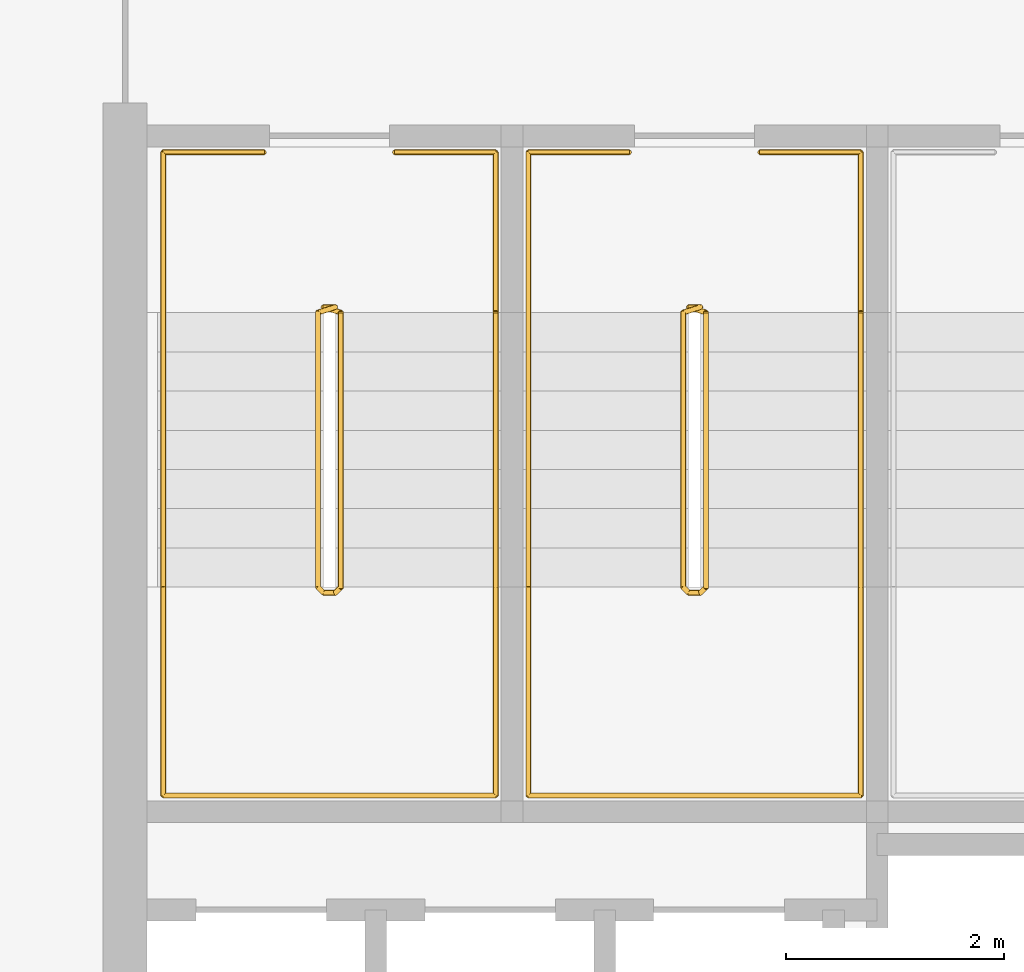
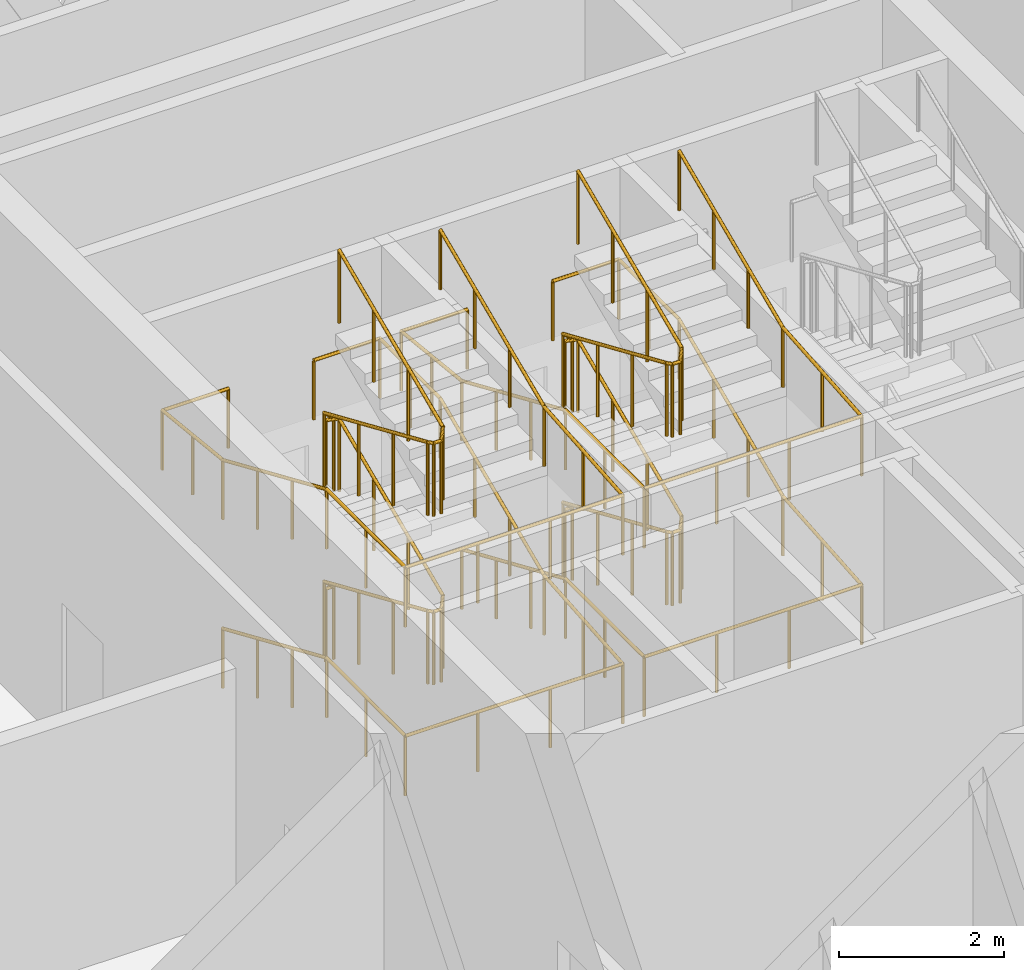
# One storey, part 14 of 15: 6 railings.
"""IFC4 building model written with IfcOpenShell, lengths in metres."""

from ifc_helpers import new_model, si_unit, direction, frame, origin, origin_2d, place, context, subcontext, project, spatial, circle, extrude, material, type_object, element, save


model = new_model("IFC4")

# Units and contexts
model_context = context("Model", 3, precision=1e-05, world=origin(), true_north=direction((0.0, 1.0)))
body_context = subcontext(model_context, "Body", "Model", "MODEL_VIEW")
ifc_project = project(units=[si_unit("LENGTHUNIT", "METRE"), si_unit("AREAUNIT", "SQUARE_METRE"), si_unit("VOLUMEUNIT", "CUBIC_METRE"), si_unit("PLANEANGLEUNIT", "RADIAN"), si_unit("MASSUNIT", "GRAM", prefix="KILO")], contexts=[model_context])

# Site, building, storey
site_placement = place(None, origin())
site = spatial("IfcSite", under=ifc_project, at=site_placement, CompositionType="ELEMENT")
building_placement = place(site_placement, origin())
building = spatial("IfcBuilding", under=site, at=building_placement, Name="Tessera Arch", CompositionType="ELEMENT")
storey_placement = place(building_placement, frame((0.0, 0.0, 285.199951171875)))
storey = spatial("IfcBuildingStorey", under=building, at=storey_placement, Name="L69", CompositionType="ELEMENT", Elevation=285.199951171875)

# Railings
ifc_material_1 = material(Name="Painted steel balustrade", Category="steel")
railing_type_1 = type_object("IfcRailingType", Name="Stair guard 1100", PredefinedType="GUARDRAIL", material=ifc_material_1)
railing_1_placement = place(storey_placement, frame((38.219970703125, 43.6298828125, 0.0)))
element("IfcRailing", 1, at=railing_1_placement, inside=storey, type_object=railing_type_1, Name="L69 S1a stair guard 1", PredefinedType="GUARDRAIL", context=body_context, shape_type="SweptSolid", body=[
    extrude(circle(Radius=0.02392578125, at=origin_2d()), frame((-0.00390625, 0.0, 1.076171875), z_axis=(1.0, 0.0, 0.0), x_axis=(0.0, 1.0, 0.0)), (0.0, 0.0, 1.0), 0.1181640625),
    extrude(circle(Radius=0.02392578125, at=origin_2d()), frame((0.11279296875, 0.0009765625, 1.0732421875), z_axis=(-0.698682510115, -0.217273219609, 0.681641473283), x_axis=(0.296948579431, -0.954893471113, 0.0)), (0.0, 0.0, 1.0), 0.2373046875),
    extrude(circle(Radius=0.02392578125, at=origin_2d()), frame((-0.050048828125, -0.046142578125, 1.230712890625), z_axis=(0.0, -0.917324189904, 0.398141093855), x_axis=(1.0, 0.0, 0.0)), (0.0, 0.0, 1.0), 2.755126953125),
    extrude(circle(Radius=0.02392578125, at=origin_2d()), frame((-0.052978515625, -2.56689453125, 2.326171875), z_axis=(0.707106781187, -0.707106781187, 0.0), x_axis=(0.707106781187, 0.707106781187, 0.0)), (0.0, 0.0, 1.0), 0.078857421875),
    extrude(circle(Radius=0.02392578125, at=origin_2d()), frame((-0.00390625, -2.619873046875, 2.326171875), z_axis=(1.0, 0.0, 0.0), x_axis=(0.0, 1.0, 0.0)), (0.0, 0.0, 1.0), 0.1181640625),
    extrude(circle(Radius=0.02392578125, at=origin_2d()), frame((0.10888671875, -2.62109375, 2.322509765625), z_axis=(0.290469530425, 0.291893400672, 0.911276958196), x_axis=(-0.708833529934, 0.705375805398, 0.0)), (0.0, 0.0, 1.0), 0.179443359375),
    extrude(circle(Radius=0.02392578125, at=origin_2d()), frame((0.159912109375, -2.573486328125, 2.480712890625), z_axis=(0.0, 0.917324189904, 0.398141093855), x_axis=(-1.0, 0.0, 0.0)), (0.0, 0.0, 1.0), 2.755126953125),
    extrude(circle(Radius=0.02392578125, at=origin_2d()), frame((0.163818359375, -0.051025390625, 3.576171875), z_axis=(-0.954764847777, 0.297361876254, 0.0), x_axis=(-0.297361876254, -0.954764847777, 0.0)), (0.0, 0.0, 1.0), 0.175537109375),
    extrude(circle(Radius=0.02392578125, at=origin_2d()), frame((-0.00390625, 0.0, 3.576171875), z_axis=(1.0, 0.0, 0.0), x_axis=(0.0, 1.0, 0.0)), (0.0, 0.0, 1.0), 0.1181640625),
    extrude(circle(Radius=0.02392578125, at=origin_2d()), frame((0.11279296875, 0.0009765625, 3.5732421875), z_axis=(-0.698682510115, -0.217273219609, 0.681641473283), x_axis=(0.296948579431, -0.954893471113, 0.0)), (0.0, 0.0, 1.0), 0.2373046875),
    extrude(circle(Radius=0.02392578125, at=origin_2d()), frame((-0.050048828125, -0.046142578125, 3.730712890625), z_axis=(0.0, -0.917324189904, 0.398141093855), x_axis=(1.0, 0.0, 0.0)), (0.0, 0.0, 1.0), 2.755126953125),
    extrude(circle(Radius=0.02392578125, at=origin_2d()), frame((-0.052978515625, -2.56689453125, 4.826171875), z_axis=(0.707106781187, -0.707106781187, 0.0), x_axis=(0.707106781187, 0.707106781187, 0.0)), (0.0, 0.0, 1.0), 0.078857421875),
    extrude(circle(Radius=0.02392578125, at=origin_2d()), frame((-0.00390625, -2.619873046875, 4.826171875), z_axis=(1.0, 0.0, 0.0), x_axis=(0.0, 1.0, 0.0)), (0.0, 0.0, 1.0), 0.1181640625),
    extrude(circle(Radius=0.02392578125, at=origin_2d()), frame((0.10888671875, -2.62109375, 4.822509765625), z_axis=(0.290469530425, 0.291893400672, 0.911276958196), x_axis=(-0.708833529934, 0.705375805398, 0.0)), (0.0, 0.0, 1.0), 0.179443359375),
    extrude(circle(Radius=0.02392578125, at=origin_2d()), frame((0.159912109375, -2.573486328125, 4.980712890625), z_axis=(0.0, 0.917324189904, 0.398141093855), x_axis=(-1.0, 0.0, 0.0)), (0.0, 0.0, 1.0), 2.755126953125),
    extrude(circle(Radius=0.02099609375, at=origin_2d()), origin(), (0.0, 0.0, 1.0), 1.06396484375),
    extrude(circle(Radius=0.02099609375, at=origin_2d()), frame((0.110107421875, 0.0, 0.0)), (0.0, 0.0, 1.0), 1.06396484375),
    extrude(circle(Radius=0.02099609375, at=origin_2d()), frame((-0.050048828125, -0.0498046875, 0.15625)), (0.0, 0.0, 1.0), 1.06396484375),
    extrude(circle(Radius=0.02099609375, at=origin_2d()), frame((-0.050048828125, -0.889892578125, 0.520751953125)), (0.0, 0.0, 1.0), 1.06396484375),
    extrude(circle(Radius=0.02099609375, at=origin_2d()), frame((-0.050048828125, -1.729736328125, 0.885498046875)), (0.0, 0.0, 1.0), 1.06396484375),
    extrude(circle(Radius=0.02099609375, at=origin_2d()), frame((-0.050048828125, -2.56982421875, 1.25)), (0.0, 0.0, 1.0), 1.06396484375),
    extrude(circle(Radius=0.02099609375, at=origin_2d()), frame((0.0, -2.619873046875, 1.25)), (0.0, 0.0, 1.0), 1.06396484375),
    extrude(circle(Radius=0.02099609375, at=origin_2d()), frame((0.110107421875, -2.619873046875, 1.25)), (0.0, 0.0, 1.0), 1.06396484375),
    extrude(circle(Radius=0.02099609375, at=origin_2d()), frame((0.159912109375, -2.56982421875, 1.40625)), (0.0, 0.0, 1.0), 1.06396484375),
    extrude(circle(Radius=0.02099609375, at=origin_2d()), frame((0.159912109375, -1.729736328125, 1.770751953125)), (0.0, 0.0, 1.0), 1.06396484375),
    extrude(circle(Radius=0.02099609375, at=origin_2d()), frame((0.159912109375, -0.889892578125, 2.135498046875)), (0.0, 0.0, 1.0), 1.06396484375),
    extrude(circle(Radius=0.02099609375, at=origin_2d()), frame((0.159912109375, -0.0498046875, 2.5)), (0.0, 0.0, 1.0), 1.06396484375),
    extrude(circle(Radius=0.02099609375, at=origin_2d()), frame((0.0, 0.0, 2.5)), (0.0, 0.0, 1.0), 1.06396484375),
    extrude(circle(Radius=0.02099609375, at=origin_2d()), frame((0.110107421875, 0.0, 2.5)), (0.0, 0.0, 1.0), 1.06396484375),
    extrude(circle(Radius=0.02099609375, at=origin_2d()), frame((-0.050048828125, -0.0498046875, 2.65625)), (0.0, 0.0, 1.0), 1.06396484375),
    extrude(circle(Radius=0.02099609375, at=origin_2d()), frame((-0.050048828125, -0.889892578125, 3.020751953125)), (0.0, 0.0, 1.0), 1.06396484375),
    extrude(circle(Radius=0.02099609375, at=origin_2d()), frame((-0.050048828125, -1.729736328125, 3.385498046875)), (0.0, 0.0, 1.0), 1.06396484375),
    extrude(circle(Radius=0.02099609375, at=origin_2d()), frame((-0.050048828125, -2.56982421875, 3.75)), (0.0, 0.0, 1.0), 1.06396484375),
    extrude(circle(Radius=0.02099609375, at=origin_2d()), frame((0.0, -2.619873046875, 3.75)), (0.0, 0.0, 1.0), 1.06396484375),
    extrude(circle(Radius=0.02099609375, at=origin_2d()), frame((0.110107421875, -2.619873046875, 3.75)), (0.0, 0.0, 1.0), 1.06396484375),
    extrude(circle(Radius=0.02099609375, at=origin_2d()), frame((0.159912109375, -2.56982421875, 3.90625)), (0.0, 0.0, 1.0), 1.06396484375),
    extrude(circle(Radius=0.02099609375, at=origin_2d()), frame((0.159912109375, -1.729736328125, 4.270751953125)), (0.0, 0.0, 1.0), 1.06396484375),
    extrude(circle(Radius=0.02099609375, at=origin_2d()), frame((0.159912109375, -0.889892578125, 4.635498046875)), (0.0, 0.0, 1.0), 1.06396484375),
    extrude(circle(Radius=0.02099609375, at=origin_2d()), frame((0.159912109375, -0.0498046875, 5.0)), (0.0, 0.0, 1.0), 1.06396484375),
])
railing_2_placement = place(storey_placement, frame((41.570068359375, 43.6298828125, 0.0)))
element("IfcRailing", 2, at=railing_2_placement, inside=storey, type_object=railing_type_1, Name="L69 S1b stair guard 1", PredefinedType="GUARDRAIL", context=body_context, shape_type="SweptSolid", body=[
    extrude(circle(Radius=0.02392578125, at=origin_2d()), frame((-0.00390625, 0.0, 1.076171875), z_axis=(1.0, 0.0, 0.0), x_axis=(0.0, 1.0, 0.0)), (0.0, 0.0, 1.0), 0.117919921875),
    extrude(circle(Radius=0.02392578125, at=origin_2d()), frame((0.112548828125, 0.0009765625, 1.0732421875), z_axis=(-0.698136755474, -0.217434958957, 0.682148890844), x_axis=(0.297361876254, -0.954764847777, 0.0)), (0.0, 0.0, 1.0), 0.237060546875),
    extrude(circle(Radius=0.02392578125, at=origin_2d()), frame((-0.050048828125, -0.046142578125, 1.230712890625), z_axis=(0.0, -0.917324189904, 0.398141093855), x_axis=(1.0, 0.0, 0.0)), (0.0, 0.0, 1.0), 2.755126953125),
    extrude(circle(Radius=0.02392578125, at=origin_2d()), frame((-0.052978515625, -2.56689453125, 2.326171875), z_axis=(0.707106781187, -0.707106781187, 0.0), x_axis=(0.707106781187, 0.707106781187, 0.0)), (0.0, 0.0, 1.0), 0.078857421875),
    extrude(circle(Radius=0.02392578125, at=origin_2d()), frame((-0.00390625, -2.619873046875, 2.326171875), z_axis=(1.0, 0.0, 0.0), x_axis=(0.0, 1.0, 0.0)), (0.0, 0.0, 1.0), 0.117919921875),
    extrude(circle(Radius=0.02392578125, at=origin_2d()), frame((0.108642578125, -2.62109375, 2.322509765625), z_axis=(0.29177245553, 0.29177245553, 0.91089937336), x_axis=(-0.707106781187, 0.707106781187, 0.0)), (0.0, 0.0, 1.0), 0.179443359375),
    extrude(circle(Radius=0.02392578125, at=origin_2d()), frame((0.159912109375, -2.573486328125, 2.480712890625), z_axis=(0.0, 0.917324189904, 0.398141093855), x_axis=(-1.0, 0.0, 0.0)), (0.0, 0.0, 1.0), 2.755126953125),
    extrude(circle(Radius=0.02392578125, at=origin_2d()), frame((0.163818359375, -0.051025390625, 3.576171875), z_axis=(-0.954764847777, 0.297361876254, 0.0), x_axis=(-0.297361876254, -0.954764847777, 0.0)), (0.0, 0.0, 1.0), 0.175537109375),
    extrude(circle(Radius=0.02392578125, at=origin_2d()), frame((-0.00390625, 0.0, 3.576171875), z_axis=(1.0, 0.0, 0.0), x_axis=(0.0, 1.0, 0.0)), (0.0, 0.0, 1.0), 0.117919921875),
    extrude(circle(Radius=0.02392578125, at=origin_2d()), frame((0.112548828125, 0.0009765625, 3.5732421875), z_axis=(-0.698136755474, -0.217434958957, 0.682148890844), x_axis=(0.297361876254, -0.954764847777, 0.0)), (0.0, 0.0, 1.0), 0.237060546875),
    extrude(circle(Radius=0.02392578125, at=origin_2d()), frame((-0.050048828125, -0.046142578125, 3.730712890625), z_axis=(0.0, -0.917324189904, 0.398141093855), x_axis=(1.0, 0.0, 0.0)), (0.0, 0.0, 1.0), 2.755126953125),
    extrude(circle(Radius=0.02392578125, at=origin_2d()), frame((-0.052978515625, -2.56689453125, 4.826171875), z_axis=(0.707106781187, -0.707106781187, 0.0), x_axis=(0.707106781187, 0.707106781187, 0.0)), (0.0, 0.0, 1.0), 0.078857421875),
    extrude(circle(Radius=0.02392578125, at=origin_2d()), frame((-0.00390625, -2.619873046875, 4.826171875), z_axis=(1.0, 0.0, 0.0), x_axis=(0.0, 1.0, 0.0)), (0.0, 0.0, 1.0), 0.117919921875),
    extrude(circle(Radius=0.02392578125, at=origin_2d()), frame((0.108642578125, -2.62109375, 4.822509765625), z_axis=(0.29177245553, 0.29177245553, 0.91089937336), x_axis=(-0.707106781187, 0.707106781187, 0.0)), (0.0, 0.0, 1.0), 0.179443359375),
    extrude(circle(Radius=0.02392578125, at=origin_2d()), frame((0.159912109375, -2.573486328125, 4.980712890625), z_axis=(0.0, 0.917324189904, 0.398141093855), x_axis=(-1.0, 0.0, 0.0)), (0.0, 0.0, 1.0), 2.755126953125),
    extrude(circle(Radius=0.02099609375, at=origin_2d()), origin(), (0.0, 0.0, 1.0), 1.06396484375),
    extrude(circle(Radius=0.02099609375, at=origin_2d()), frame((0.10986328125, 0.0, 0.0)), (0.0, 0.0, 1.0), 1.06396484375),
    extrude(circle(Radius=0.02099609375, at=origin_2d()), frame((-0.050048828125, -0.0498046875, 0.15625)), (0.0, 0.0, 1.0), 1.06396484375),
    extrude(circle(Radius=0.02099609375, at=origin_2d()), frame((-0.050048828125, -0.889892578125, 0.520751953125)), (0.0, 0.0, 1.0), 1.06396484375),
    extrude(circle(Radius=0.02099609375, at=origin_2d()), frame((-0.050048828125, -1.729736328125, 0.885498046875)), (0.0, 0.0, 1.0), 1.06396484375),
    extrude(circle(Radius=0.02099609375, at=origin_2d()), frame((-0.050048828125, -2.56982421875, 1.25)), (0.0, 0.0, 1.0), 1.06396484375),
    extrude(circle(Radius=0.02099609375, at=origin_2d()), frame((0.0, -2.619873046875, 1.25)), (0.0, 0.0, 1.0), 1.06396484375),
    extrude(circle(Radius=0.02099609375, at=origin_2d()), frame((0.10986328125, -2.619873046875, 1.25)), (0.0, 0.0, 1.0), 1.06396484375),
    extrude(circle(Radius=0.02099609375, at=origin_2d()), frame((0.159912109375, -2.56982421875, 1.40625)), (0.0, 0.0, 1.0), 1.06396484375),
    extrude(circle(Radius=0.02099609375, at=origin_2d()), frame((0.159912109375, -1.729736328125, 1.770751953125)), (0.0, 0.0, 1.0), 1.06396484375),
    extrude(circle(Radius=0.02099609375, at=origin_2d()), frame((0.159912109375, -0.889892578125, 2.135498046875)), (0.0, 0.0, 1.0), 1.06396484375),
    extrude(circle(Radius=0.02099609375, at=origin_2d()), frame((0.159912109375, -0.0498046875, 2.5)), (0.0, 0.0, 1.0), 1.06396484375),
    extrude(circle(Radius=0.02099609375, at=origin_2d()), frame((0.0, 0.0, 2.5)), (0.0, 0.0, 1.0), 1.06396484375),
    extrude(circle(Radius=0.02099609375, at=origin_2d()), frame((0.10986328125, 0.0, 2.5)), (0.0, 0.0, 1.0), 1.06396484375),
    extrude(circle(Radius=0.02099609375, at=origin_2d()), frame((-0.050048828125, -0.0498046875, 2.65625)), (0.0, 0.0, 1.0), 1.06396484375),
    extrude(circle(Radius=0.02099609375, at=origin_2d()), frame((-0.050048828125, -0.889892578125, 3.020751953125)), (0.0, 0.0, 1.0), 1.06396484375),
    extrude(circle(Radius=0.02099609375, at=origin_2d()), frame((-0.050048828125, -1.729736328125, 3.385498046875)), (0.0, 0.0, 1.0), 1.06396484375),
    extrude(circle(Radius=0.02099609375, at=origin_2d()), frame((-0.050048828125, -2.56982421875, 3.75)), (0.0, 0.0, 1.0), 1.06396484375),
    extrude(circle(Radius=0.02099609375, at=origin_2d()), frame((0.0, -2.619873046875, 3.75)), (0.0, 0.0, 1.0), 1.06396484375),
    extrude(circle(Radius=0.02099609375, at=origin_2d()), frame((0.10986328125, -2.619873046875, 3.75)), (0.0, 0.0, 1.0), 1.06396484375),
    extrude(circle(Radius=0.02099609375, at=origin_2d()), frame((0.159912109375, -2.56982421875, 3.90625)), (0.0, 0.0, 1.0), 1.06396484375),
    extrude(circle(Radius=0.02099609375, at=origin_2d()), frame((0.159912109375, -1.729736328125, 4.270751953125)), (0.0, 0.0, 1.0), 1.06396484375),
    extrude(circle(Radius=0.02099609375, at=origin_2d()), frame((0.159912109375, -0.889892578125, 4.635498046875)), (0.0, 0.0, 1.0), 1.06396484375),
    extrude(circle(Radius=0.02099609375, at=origin_2d()), frame((0.159912109375, -0.0498046875, 5.0)), (0.0, 0.0, 1.0), 1.06396484375),
])
ifc_material_2 = material(Name="Painted steel handrail", Category="steel")
railing_type_2 = type_object("IfcRailingType", Name="Stair handrail 900", PredefinedType="HANDRAIL", material=ifc_material_2)
railing_3_placement = place(storey_placement, frame((36.75, 43.580078125, 0.15625)))
element("IfcRailing", 3, at=railing_3_placement, inside=storey, type_object=railing_type_2, Name="L69 S1a stair handrail", PredefinedType="HANDRAIL", context=body_context, shape_type="SweptSolid", body=[
    extrude(circle(Radius=0.02392578125, at=origin_2d()), frame((0.0, 0.003662109375, 0.874267578125), z_axis=(0.0, -0.917324189904, 0.398141093855), x_axis=(1.0, 0.0, 0.0)), (0.0, 0.0, 1.0), 2.755126953125),
    extrude(circle(Radius=0.02392578125, at=origin_2d()), frame((0.0, -2.51611328125, 1.9697265625), z_axis=(0.0, -1.0, 0.0), x_axis=(1.0, 0.0, 0.0)), (0.0, 0.0, 1.0), 1.918212890625),
    extrude(circle(Radius=0.02392578125, at=origin_2d()), frame((-0.00390625, -4.43017578125, 1.9697265625), z_axis=(1.0, 0.0, 0.0), x_axis=(0.0, 1.0, 0.0)), (0.0, 0.0, 1.0), 3.05810546875),
    extrude(circle(Radius=0.02392578125, at=origin_2d()), frame((3.050048828125, -4.43408203125, 1.96923828125), z_axis=(0.0, 0.996671109807, 0.081527289146), x_axis=(-1.0, 0.0, 0.0)), (0.0, 0.0, 1.0), 1.924560546875),
    extrude(circle(Radius=0.02392578125, at=origin_2d()), frame((3.050048828125, -2.523681640625, 2.124267578125), z_axis=(0.0, 0.917324189904, 0.398141093855), x_axis=(-1.0, 0.0, 0.0)), (0.0, 0.0, 1.0), 2.755126953125),
    extrude(circle(Radius=0.02392578125, at=origin_2d()), frame((3.050048828125, -0.00390625, 3.2197265625), z_axis=(0.0, 1.0, 0.0), x_axis=(-1.0, 0.0, 0.0)), (0.0, 0.0, 1.0), 1.47802734375),
    extrude(circle(Radius=0.02392578125, at=origin_2d()), frame((3.053955078125, 1.469970703125, 3.2197265625), z_axis=(-1.0, 0.0, 0.0), x_axis=(0.0, -1.0, 0.0)), (0.0, 0.0, 1.0), 0.93310546875),
    extrude(circle(Radius=0.02099609375, at=origin_2d()), origin(), (0.0, 0.0, 1.0), 0.86376953125),
    extrude(circle(Radius=0.02099609375, at=origin_2d()), frame((0.0, -0.840087890625, 0.364501953125)), (0.0, 0.0, 1.0), 0.86376953125),
    extrude(circle(Radius=0.02099609375, at=origin_2d()), frame((0.0, -1.679931640625, 0.729248046875)), (0.0, 0.0, 1.0), 0.86376953125),
    extrude(circle(Radius=0.02099609375, at=origin_2d()), frame((0.0, -2.52001953125, 1.09375)), (0.0, 0.0, 1.0), 0.86376953125),
    extrude(circle(Radius=0.02099609375, at=origin_2d()), frame((0.0, -3.47509765625, 1.09375)), (0.0, 0.0, 1.0), 0.86376953125),
    extrude(circle(Radius=0.02099609375, at=origin_2d()), frame((0.0, -4.43017578125, 1.09375)), (0.0, 0.0, 1.0), 0.86376953125),
    extrude(circle(Radius=0.02099609375, at=origin_2d()), frame((1.0166015625, -4.43017578125, 1.09375)), (0.0, 0.0, 1.0), 0.86376953125),
    extrude(circle(Radius=0.02099609375, at=origin_2d()), frame((2.033447265625, -4.43017578125, 1.09375)), (0.0, 0.0, 1.0), 0.86376953125),
    extrude(circle(Radius=0.02099609375, at=origin_2d()), frame((3.050048828125, -4.43017578125, 1.09375)), (0.0, 0.0, 1.0), 0.86376953125),
    extrude(circle(Radius=0.02099609375, at=origin_2d()), frame((3.050048828125, -3.47509765625, 1.171875)), (0.0, 0.0, 1.0), 0.86376953125),
    extrude(circle(Radius=0.02099609375, at=origin_2d()), frame((3.050048828125, -2.52001953125, 1.25)), (0.0, 0.0, 1.0), 0.86376953125),
    extrude(circle(Radius=0.02099609375, at=origin_2d()), frame((3.050048828125, -1.679931640625, 1.614501953125)), (0.0, 0.0, 1.0), 0.86376953125),
    extrude(circle(Radius=0.02099609375, at=origin_2d()), frame((3.050048828125, -0.840087890625, 1.979248046875)), (0.0, 0.0, 1.0), 0.86376953125),
    extrude(circle(Radius=0.02099609375, at=origin_2d()), frame((3.050048828125, 0.0, 2.34375)), (0.0, 0.0, 1.0), 0.86376953125),
    extrude(circle(Radius=0.02099609375, at=origin_2d()), frame((3.050048828125, 0.73486328125, 2.34375)), (0.0, 0.0, 1.0), 0.86376953125),
    extrude(circle(Radius=0.02099609375, at=origin_2d()), frame((3.050048828125, 1.469970703125, 2.34375)), (0.0, 0.0, 1.0), 0.86376953125),
    extrude(circle(Radius=0.02099609375, at=origin_2d()), frame((2.125, 1.469970703125, 2.34375)), (0.0, 0.0, 1.0), 0.86376953125),
])
railing_4_placement = place(storey_placement, frame((37.675048828125, 45.050048828125, 2.5)))
element("IfcRailing", 4, at=railing_4_placement, inside=storey, type_object=railing_type_2, Name="L69 S1a stair handrail 2", PredefinedType="HANDRAIL", context=body_context, shape_type="SweptSolid", body=[
    extrude(circle(Radius=0.02392578125, at=origin_2d()), frame((0.00390625, 0.0, 0.8759765625), z_axis=(-1.0, 0.0, 0.0), x_axis=(0.0, -1.0, 0.0)), (0.0, 0.0, 1.0), 0.93310546875),
    extrude(circle(Radius=0.02392578125, at=origin_2d()), frame((-0.925048828125, 0.00390625, 0.87548828125), z_axis=(0.0, -0.994398150376, 0.105699188879), x_axis=(1.0, 0.0, 0.0)), (0.0, 0.0, 1.0), 1.486328125),
    extrude(circle(Radius=0.02392578125, at=origin_2d()), frame((-0.925048828125, -1.46630859375, 1.030517578125), z_axis=(0.0, -0.917324189904, 0.398141093855), x_axis=(1.0, 0.0, 0.0)), (0.0, 0.0, 1.0), 2.755126953125),
    extrude(circle(Radius=0.02392578125, at=origin_2d()), frame((-0.925048828125, -3.986083984375, 2.1259765625), z_axis=(0.0, -1.0, 0.0), x_axis=(1.0, 0.0, 0.0)), (0.0, 0.0, 1.0), 1.918212890625),
    extrude(circle(Radius=0.02392578125, at=origin_2d()), frame((-0.928955078125, -5.900146484375, 2.1259765625), z_axis=(1.0, 0.0, 0.0), x_axis=(0.0, 1.0, 0.0)), (0.0, 0.0, 1.0), 3.05810546875),
    extrude(circle(Radius=0.02392578125, at=origin_2d()), frame((2.125, -5.904052734375, 2.12548828125), z_axis=(0.0, 0.996671109807, 0.081527289146), x_axis=(-1.0, 0.0, 0.0)), (0.0, 0.0, 1.0), 1.924560546875),
    extrude(circle(Radius=0.02392578125, at=origin_2d()), frame((2.125, -3.99365234375, 2.280517578125), z_axis=(0.0, 0.917324189904, 0.398141093855), x_axis=(-1.0, 0.0, 0.0)), (0.0, 0.0, 1.0), 2.755126953125),
    extrude(circle(Radius=0.02099609375, at=origin_2d()), origin(), (0.0, 0.0, 1.0), 0.86376953125),
    extrude(circle(Radius=0.02099609375, at=origin_2d()), frame((-0.925048828125, 0.0, 0.0)), (0.0, 0.0, 1.0), 0.86376953125),
    extrude(circle(Radius=0.02099609375, at=origin_2d()), frame((-0.925048828125, -0.73486328125, 0.078125)), (0.0, 0.0, 1.0), 0.86376953125),
    extrude(circle(Radius=0.02099609375, at=origin_2d()), frame((-0.925048828125, -1.469970703125, 0.15625)), (0.0, 0.0, 1.0), 0.86376953125),
    extrude(circle(Radius=0.02099609375, at=origin_2d()), frame((-0.925048828125, -2.31005859375, 0.520751953125)), (0.0, 0.0, 1.0), 0.86376953125),
    extrude(circle(Radius=0.02099609375, at=origin_2d()), frame((-0.925048828125, -3.14990234375, 0.885498046875)), (0.0, 0.0, 1.0), 0.86376953125),
    extrude(circle(Radius=0.02099609375, at=origin_2d()), frame((-0.925048828125, -3.989990234375, 1.25)), (0.0, 0.0, 1.0), 0.86376953125),
    extrude(circle(Radius=0.02099609375, at=origin_2d()), frame((-0.925048828125, -4.945068359375, 1.25)), (0.0, 0.0, 1.0), 0.86376953125),
    extrude(circle(Radius=0.02099609375, at=origin_2d()), frame((-0.925048828125, -5.900146484375, 1.25)), (0.0, 0.0, 1.0), 0.86376953125),
    extrude(circle(Radius=0.02099609375, at=origin_2d()), frame((0.091552734375, -5.900146484375, 1.25)), (0.0, 0.0, 1.0), 0.86376953125),
    extrude(circle(Radius=0.02099609375, at=origin_2d()), frame((1.1083984375, -5.900146484375, 1.25)), (0.0, 0.0, 1.0), 0.86376953125),
    extrude(circle(Radius=0.02099609375, at=origin_2d()), frame((2.125, -5.900146484375, 1.25)), (0.0, 0.0, 1.0), 0.86376953125),
    extrude(circle(Radius=0.02099609375, at=origin_2d()), frame((2.125, -4.945068359375, 1.328125)), (0.0, 0.0, 1.0), 0.86376953125),
    extrude(circle(Radius=0.02099609375, at=origin_2d()), frame((2.125, -3.989990234375, 1.40625)), (0.0, 0.0, 1.0), 0.86376953125),
    extrude(circle(Radius=0.02099609375, at=origin_2d()), frame((2.125, -3.14990234375, 1.770751953125)), (0.0, 0.0, 1.0), 0.86376953125),
    extrude(circle(Radius=0.02099609375, at=origin_2d()), frame((2.125, -2.31005859375, 2.135498046875)), (0.0, 0.0, 1.0), 0.86376953125),
    extrude(circle(Radius=0.02099609375, at=origin_2d()), frame((2.125, -1.469970703125, 2.5)), (0.0, 0.0, 1.0), 0.86376953125),
])
railing_5_placement = place(storey_placement, frame((40.10009765625, 43.580078125, 0.15625)))
element("IfcRailing", 5, at=railing_5_placement, inside=storey, type_object=railing_type_2, Name="L69 S1b stair handrail", PredefinedType="HANDRAIL", context=body_context, shape_type="SweptSolid", body=[
    extrude(circle(Radius=0.02392578125, at=origin_2d()), frame((0.0, 0.003662109375, 0.874267578125), z_axis=(0.0, -0.917324189904, 0.398141093855), x_axis=(1.0, 0.0, 0.0)), (0.0, 0.0, 1.0), 2.755126953125),
    extrude(circle(Radius=0.02392578125, at=origin_2d()), frame((0.0, -2.51611328125, 1.9697265625), z_axis=(0.0, -1.0, 0.0), x_axis=(1.0, 0.0, 0.0)), (0.0, 0.0, 1.0), 1.918212890625),
    extrude(circle(Radius=0.02392578125, at=origin_2d()), frame((-0.00390625, -4.43017578125, 1.9697265625), z_axis=(1.0, 0.0, 0.0), x_axis=(0.0, 1.0, 0.0)), (0.0, 0.0, 1.0), 3.057861328125),
    extrude(circle(Radius=0.02392578125, at=origin_2d()), frame((3.0498046875, -4.43408203125, 1.96923828125), z_axis=(0.0, 0.996671109807, 0.081527289146), x_axis=(-1.0, 0.0, 0.0)), (0.0, 0.0, 1.0), 1.924560546875),
    extrude(circle(Radius=0.02392578125, at=origin_2d()), frame((3.0498046875, -2.523681640625, 2.124267578125), z_axis=(0.0, 0.917324189904, 0.398141093855), x_axis=(-1.0, 0.0, 0.0)), (0.0, 0.0, 1.0), 2.755126953125),
    extrude(circle(Radius=0.02392578125, at=origin_2d()), frame((3.0498046875, -0.00390625, 3.2197265625), z_axis=(0.0, 1.0, 0.0), x_axis=(-1.0, 0.0, 0.0)), (0.0, 0.0, 1.0), 1.47802734375),
    extrude(circle(Radius=0.02392578125, at=origin_2d()), frame((3.0537109375, 1.469970703125, 3.2197265625), z_axis=(-1.0, 0.0, 0.0), x_axis=(0.0, -1.0, 0.0)), (0.0, 0.0, 1.0), 0.932861328125),
    extrude(circle(Radius=0.02099609375, at=origin_2d()), origin(), (0.0, 0.0, 1.0), 0.86376953125),
    extrude(circle(Radius=0.02099609375, at=origin_2d()), frame((0.0, -0.840087890625, 0.364501953125)), (0.0, 0.0, 1.0), 0.86376953125),
    extrude(circle(Radius=0.02099609375, at=origin_2d()), frame((0.0, -1.679931640625, 0.729248046875)), (0.0, 0.0, 1.0), 0.86376953125),
    extrude(circle(Radius=0.02099609375, at=origin_2d()), frame((0.0, -2.52001953125, 1.09375)), (0.0, 0.0, 1.0), 0.86376953125),
    extrude(circle(Radius=0.02099609375, at=origin_2d()), frame((0.0, -3.47509765625, 1.09375)), (0.0, 0.0, 1.0), 0.86376953125),
    extrude(circle(Radius=0.02099609375, at=origin_2d()), frame((0.0, -4.43017578125, 1.09375)), (0.0, 0.0, 1.0), 0.86376953125),
    extrude(circle(Radius=0.02099609375, at=origin_2d()), frame((1.0166015625, -4.43017578125, 1.09375)), (0.0, 0.0, 1.0), 0.86376953125),
    extrude(circle(Radius=0.02099609375, at=origin_2d()), frame((2.033203125, -4.43017578125, 1.09375)), (0.0, 0.0, 1.0), 0.86376953125),
    extrude(circle(Radius=0.02099609375, at=origin_2d()), frame((3.0498046875, -4.43017578125, 1.09375)), (0.0, 0.0, 1.0), 0.86376953125),
    extrude(circle(Radius=0.02099609375, at=origin_2d()), frame((3.0498046875, -3.47509765625, 1.171875)), (0.0, 0.0, 1.0), 0.86376953125),
    extrude(circle(Radius=0.02099609375, at=origin_2d()), frame((3.0498046875, -2.52001953125, 1.25)), (0.0, 0.0, 1.0), 0.86376953125),
    extrude(circle(Radius=0.02099609375, at=origin_2d()), frame((3.0498046875, -1.679931640625, 1.614501953125)), (0.0, 0.0, 1.0), 0.86376953125),
    extrude(circle(Radius=0.02099609375, at=origin_2d()), frame((3.0498046875, -0.840087890625, 1.979248046875)), (0.0, 0.0, 1.0), 0.86376953125),
    extrude(circle(Radius=0.02099609375, at=origin_2d()), frame((3.0498046875, 0.0, 2.34375)), (0.0, 0.0, 1.0), 0.86376953125),
    extrude(circle(Radius=0.02099609375, at=origin_2d()), frame((3.0498046875, 0.73486328125, 2.34375)), (0.0, 0.0, 1.0), 0.86376953125),
    extrude(circle(Radius=0.02099609375, at=origin_2d()), frame((3.0498046875, 1.469970703125, 2.34375)), (0.0, 0.0, 1.0), 0.86376953125),
    extrude(circle(Radius=0.02099609375, at=origin_2d()), frame((2.125, 1.469970703125, 2.34375)), (0.0, 0.0, 1.0), 0.86376953125),
])
railing_6_placement = place(storey_placement, frame((41.02490234375, 45.050048828125, 2.5)))
element("IfcRailing", 6, at=railing_6_placement, inside=storey, type_object=railing_type_2, Name="L69 S1b stair handrail 2", PredefinedType="HANDRAIL", context=body_context, shape_type="SweptSolid", body=[
    extrude(circle(Radius=0.02392578125, at=origin_2d()), frame((0.00390625, 0.0, 0.8759765625), z_axis=(-1.0, 0.0, 0.0), x_axis=(0.0, -1.0, 0.0)), (0.0, 0.0, 1.0), 0.932861328125),
    extrude(circle(Radius=0.02392578125, at=origin_2d()), frame((-0.9248046875, 0.00390625, 0.87548828125), z_axis=(0.0, -0.994398150376, 0.105699188879), x_axis=(1.0, 0.0, 0.0)), (0.0, 0.0, 1.0), 1.486328125),
    extrude(circle(Radius=0.02392578125, at=origin_2d()), frame((-0.9248046875, -1.46630859375, 1.030517578125), z_axis=(0.0, -0.917324189904, 0.398141093855), x_axis=(1.0, 0.0, 0.0)), (0.0, 0.0, 1.0), 2.755126953125),
    extrude(circle(Radius=0.02392578125, at=origin_2d()), frame((-0.9248046875, -3.986083984375, 2.1259765625), z_axis=(0.0, -1.0, 0.0), x_axis=(1.0, 0.0, 0.0)), (0.0, 0.0, 1.0), 1.918212890625),
    extrude(circle(Radius=0.02392578125, at=origin_2d()), frame((-0.9287109375, -5.900146484375, 2.1259765625), z_axis=(1.0, 0.0, 0.0), x_axis=(0.0, 1.0, 0.0)), (0.0, 0.0, 1.0), 3.057861328125),
    extrude(circle(Radius=0.02392578125, at=origin_2d()), frame((2.125, -5.904052734375, 2.12548828125), z_axis=(0.0, 0.996671109807, 0.081527289146), x_axis=(-1.0, 0.0, 0.0)), (0.0, 0.0, 1.0), 1.924560546875),
    extrude(circle(Radius=0.02392578125, at=origin_2d()), frame((2.125, -3.99365234375, 2.280517578125), z_axis=(0.0, 0.917324189904, 0.398141093855), x_axis=(-1.0, 0.0, 0.0)), (0.0, 0.0, 1.0), 2.755126953125),
    extrude(circle(Radius=0.02099609375, at=origin_2d()), origin(), (0.0, 0.0, 1.0), 0.86376953125),
    extrude(circle(Radius=0.02099609375, at=origin_2d()), frame((-0.9248046875, 0.0, 0.0)), (0.0, 0.0, 1.0), 0.86376953125),
    extrude(circle(Radius=0.02099609375, at=origin_2d()), frame((-0.9248046875, -0.73486328125, 0.078125)), (0.0, 0.0, 1.0), 0.86376953125),
    extrude(circle(Radius=0.02099609375, at=origin_2d()), frame((-0.9248046875, -1.469970703125, 0.15625)), (0.0, 0.0, 1.0), 0.86376953125),
    extrude(circle(Radius=0.02099609375, at=origin_2d()), frame((-0.9248046875, -2.31005859375, 0.520751953125)), (0.0, 0.0, 1.0), 0.86376953125),
    extrude(circle(Radius=0.02099609375, at=origin_2d()), frame((-0.9248046875, -3.14990234375, 0.885498046875)), (0.0, 0.0, 1.0), 0.86376953125),
    extrude(circle(Radius=0.02099609375, at=origin_2d()), frame((-0.9248046875, -3.989990234375, 1.25)), (0.0, 0.0, 1.0), 0.86376953125),
    extrude(circle(Radius=0.02099609375, at=origin_2d()), frame((-0.9248046875, -4.945068359375, 1.25)), (0.0, 0.0, 1.0), 0.86376953125),
    extrude(circle(Radius=0.02099609375, at=origin_2d()), frame((-0.9248046875, -5.900146484375, 1.25)), (0.0, 0.0, 1.0), 0.86376953125),
    extrude(circle(Radius=0.02099609375, at=origin_2d()), frame((0.091796875, -5.900146484375, 1.25)), (0.0, 0.0, 1.0), 0.86376953125),
    extrude(circle(Radius=0.02099609375, at=origin_2d()), frame((1.1083984375, -5.900146484375, 1.25)), (0.0, 0.0, 1.0), 0.86376953125),
    extrude(circle(Radius=0.02099609375, at=origin_2d()), frame((2.125, -5.900146484375, 1.25)), (0.0, 0.0, 1.0), 0.86376953125),
    extrude(circle(Radius=0.02099609375, at=origin_2d()), frame((2.125, -4.945068359375, 1.328125)), (0.0, 0.0, 1.0), 0.86376953125),
    extrude(circle(Radius=0.02099609375, at=origin_2d()), frame((2.125, -3.989990234375, 1.40625)), (0.0, 0.0, 1.0), 0.86376953125),
    extrude(circle(Radius=0.02099609375, at=origin_2d()), frame((2.125, -3.14990234375, 1.770751953125)), (0.0, 0.0, 1.0), 0.86376953125),
    extrude(circle(Radius=0.02099609375, at=origin_2d()), frame((2.125, -2.31005859375, 2.135498046875)), (0.0, 0.0, 1.0), 0.86376953125),
    extrude(circle(Radius=0.02099609375, at=origin_2d()), frame((2.125, -1.469970703125, 2.5)), (0.0, 0.0, 1.0), 0.86376953125),
])

save(model, "model.ifc")
